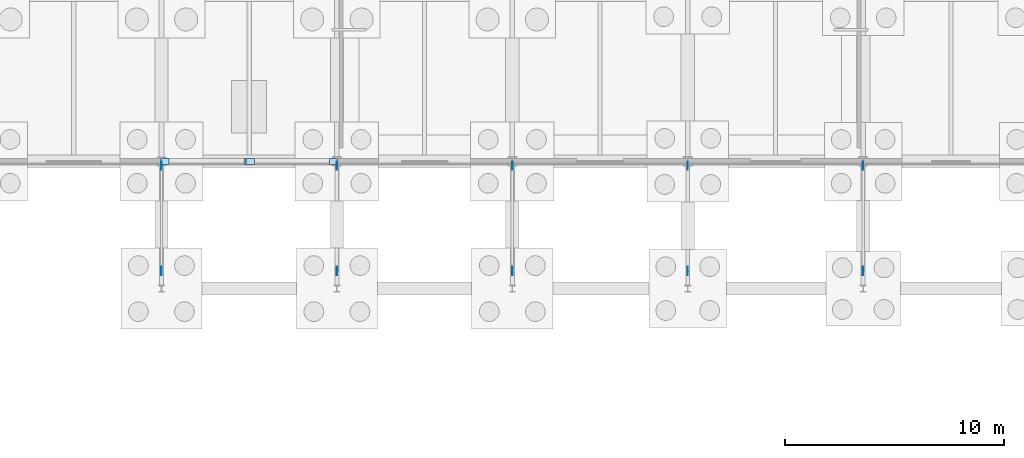
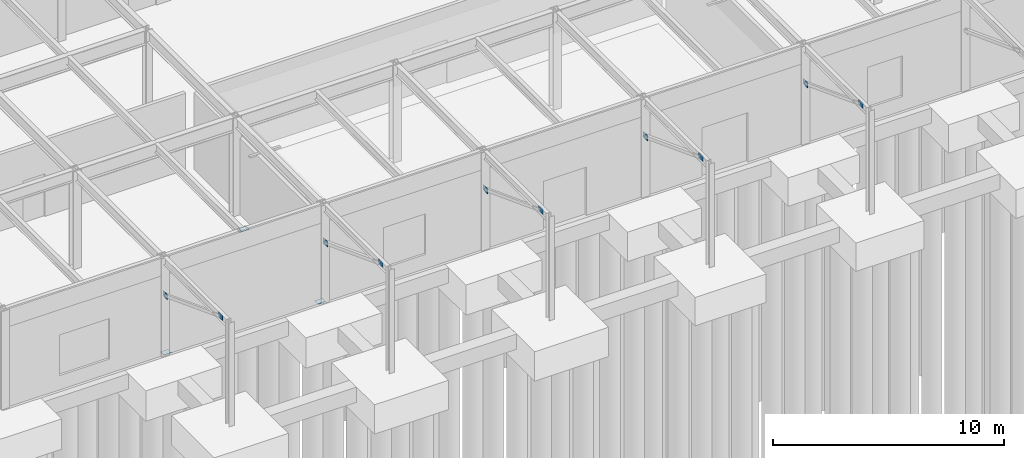
# One storey, part 37 of 62: 14 plates.
"""IFC4 building model written with IfcOpenShell, lengths in metres."""

import ifcopenshell
import ifcopenshell.guid

model = None  # the IFC model being written
_history = None  # IfcOwnerHistory: only IFC2X3 demands one
_inside = {}  # id of a spatial element -> (the spatial element, [elements in it])
_under = {}  # id of a project, library or spatial element -> (it, [spatial elements below it])
_declared = {}  # id of a project -> (the project, [libraries it declares])
_typed = {}  # id of a type object -> (the type object, [elements of that type])
_made_of = {}  # id of a material, layer set ... -> (it, [elements and type objects made of it])


def new_model(schema):
    """Start an empty IFC model of exactly this schema.

    Asked for "IFC4X3", IfcOpenShell would pick the latest addendum, in which some entities
    have other attributes; the version numbers below select the first issue.
    IFC2X3 requires an IfcOwnerHistory on every rooted entity: one is made here for all.
    """
    global model, _history
    if schema == "IFC4X3":
        model = ifcopenshell.file(schema_version=(4, 3, 0, 0))
    else:
        model = ifcopenshell.file(schema=schema)
    _inside.clear()
    _under.clear()
    _declared.clear()
    _typed.clear()
    _made_of.clear()
    _history = None
    if model.schema == "IFC2X3":
        org = make("IfcOrganization", Name="unknown")
        user = make(
            "IfcPersonAndOrganization",
            ThePerson=make("IfcPerson", FamilyName="unknown"),
            TheOrganization=org,
        )
        app = make(
            "IfcApplication",
            ApplicationDeveloper=org,
            Version="unknown",
            ApplicationFullName="unknown",
            ApplicationIdentifier="unknown",
        )
        _history = make(
            "IfcOwnerHistory",
            OwningUser=user,
            OwningApplication=app,
            ChangeAction="ADDED",
            CreationDate=0,
        )
    return model


def make(cls, **values):
    """One entity of the class cls with the attributes given. An attribute that is None is left unset."""
    return model.create_entity(
        cls, **{name: value for name, value in values.items() if value is not None}
    )


def rooted(cls, **values):
    """An entity with a GlobalId (a new one), such as an element, a storey or a relation."""
    return make(cls, GlobalId=ifcopenshell.guid.new(), OwnerHistory=_history, **values)


def si_unit(unit_type, name, prefix=None):
    """IfcSIUnit, for example si_unit("LENGTHUNIT", "METRE", prefix="MILLI")."""
    return make("IfcSIUnit", UnitType=unit_type, Prefix=prefix, Name=name)


def assignment(units):
    """IfcUnitAssignment: the units of a project."""
    return None if units is None else make("IfcUnitAssignment", Units=units)


def point(xyz):
    """IfcCartesianPoint."""
    return None if xyz is None else make("IfcCartesianPoint", Coordinates=xyz)


def direction(xyz):
    """IfcDirection."""
    return None if xyz is None else make("IfcDirection", DirectionRatios=xyz)


def frame(location, z_axis=None, x_axis=None):
    """IfcAxis2Placement3D, a coordinate frame: its origin and axes. An axis left out is left unset."""
    return make(
        "IfcAxis2Placement3D",
        Location=point(location),
        Axis=direction(z_axis),
        RefDirection=direction(x_axis),
    )


def frame_2d(location, x_axis=None):
    """IfcAxis2Placement2D, a coordinate frame in the plane: its origin and x axis."""
    return make(
        "IfcAxis2Placement2D", Location=point(location), RefDirection=direction(x_axis)
    )


def origin():
    """The frame at (0, 0, 0) with its axes left unset."""
    return frame((0.0, 0.0, 0.0))


def origin_2d():
    """The frame at (0, 0) in the plane with its x axis left unset."""
    return frame_2d((0.0, 0.0))


def place(relative_to, where):
    """IfcLocalPlacement: puts the frame where relative to a parent placement (None: the world)."""
    return make(
        "IfcLocalPlacement", PlacementRelTo=relative_to, RelativePlacement=where
    )


def context(
    kind, dimensions, precision=None, world=None, true_north=None, identifier=None
):
    """IfcGeometricRepresentationContext, for example the 3D "Model" context."""
    return make(
        "IfcGeometricRepresentationContext",
        ContextIdentifier=identifier,
        ContextType=kind,
        CoordinateSpaceDimension=dimensions,
        Precision=precision,
        WorldCoordinateSystem=world,
        TrueNorth=true_north,
    )


def subcontext(parent, identifier, kind, view, scale=None):
    """IfcGeometricRepresentationSubContext, for example "Body" below "Model"."""
    return make(
        "IfcGeometricRepresentationSubContext",
        ContextIdentifier=identifier,
        ContextType=kind,
        ParentContext=parent,
        TargetScale=scale,
        TargetView=view,
    )


def project(units=None, contexts=None):
    """IfcProject with its units and contexts."""
    return rooted(
        "IfcProject",
        Name="project",
        RepresentationContexts=contexts,
        UnitsInContext=assignment(units),
    )


def spatial(cls, under=None, at=None, **own):
    """A site, building, storey or space (cls), placed at a placement, below another one or the project."""
    s = rooted(cls, ObjectPlacement=at, **own)
    if under is not None:
        _under.setdefault(under.id(), (under, []))[1].append(s)
    return s


def profile(cls, at=None, kind="AREA", **sizes):
    """A parametric profile (cls). Its sizes go by their IFC names, for example OverallWidth=200.0."""
    return make(cls, ProfileType=kind, Position=at, **sizes)


def rectangle(**sizes):
    """IfcRectangleProfileDef."""
    return profile("IfcRectangleProfileDef", **sizes)


def extrude(swept, where, along, depth):
    """IfcExtrudedAreaSolid: the profile swept, set in the frame where, extruded along a direction by depth."""
    return make(
        "IfcExtrudedAreaSolid",
        SweptArea=swept,
        Position=where,
        ExtrudedDirection=direction(along),
        Depth=depth,
    )


def shape(context_of_items, identifier, shape_type, items):
    """IfcShapeRepresentation: the items that make up one representation, for example the "Body"."""
    return make(
        "IfcShapeRepresentation",
        ContextOfItems=context_of_items,
        RepresentationIdentifier=identifier,
        RepresentationType=shape_type,
        Items=items,
    )


def material(Name=None, Category=None):
    """IfcMaterial."""
    return make("IfcMaterial", Name=Name, Category=Category)


def layer(
    of_material, thickness, ventilated=None, Name=None, Category=None, Priority=None
):
    """IfcMaterialLayer: one layer of a wall or slab, of a material (None: an air gap)."""
    return make(
        "IfcMaterialLayer",
        Material=of_material,
        LayerThickness=thickness,
        IsVentilated=ventilated,
        Name=Name,
        Category=Category,
        Priority=Priority,
    )


def layer_set(layers, Name=None):
    """IfcMaterialLayerSet."""
    return make("IfcMaterialLayerSet", MaterialLayers=layers, LayerSetName=Name)


def made_of(thing, what):
    """Note that an element or type object is made of a material, layer set ...; save() writes the relation."""
    if what is not None:
        _made_of.setdefault(what.id(), (what, []))[1].append(thing)
    return thing


def type_object(cls, material=None, **own):
    """A type object (cls), such as IfcWallType, which elements share."""
    return made_of(rooted(cls, **own), material)


def element(
    cls,
    number,
    at=None,
    inside=None,
    cuts=None,
    type_object=None,
    material=None,
    context=None,
    identifier="Body",
    shape_type=None,
    held_by="IfcProductDefinitionShape",
    body=None,
    shapes=None,
    **own,
):
    """One element of the class cls, such as IfcWall. Its Tag is "e" and its number.

    at: its placement. inside: the storey or other place that contains it. cuts: it is an
    opening in that element (IfcRelVoidsElement). A single representation is given by context,
    identifier, shape_type and body (its items); several are given by shapes. held_by: the class
    of the entity that holds the representations. save() writes the other relations.
    """
    e = rooted(cls, Tag="e%d" % number, ObjectPlacement=at, **own)
    if body is not None:
        shapes = [shape(context, identifier, shape_type, body)]
    if shapes is not None:
        e.Representation = make(held_by, Representations=shapes)
    if inside is not None:
        _inside.setdefault(inside.id(), (inside, []))[1].append(e)
    if cuts is not None:
        rooted(
            "IfcRelVoidsElement", RelatingBuildingElement=cuts, RelatedOpeningElement=e
        )
    if type_object is not None:
        _typed.setdefault(type_object.id(), (type_object, []))[1].append(e)
    return made_of(e, material)


def aggregate(whole, parts):
    """IfcRelAggregates: a whole, such as a stair, and the parts it consists of."""
    return rooted("IfcRelAggregates", RelatingObject=whole, RelatedObjects=parts)


def save(model, path):
    """Write the relations noted so far, then the file.

    IfcRelAggregates (storeys below a building ...), IfcRelContainedInSpatialStructure (elements
    in a storey), IfcRelDefinesByType, IfcRelAssociatesMaterial and IfcRelDeclares: one each for
    every whole, place, type object, material and project.
    """
    for whole, parts in _under.values():
        aggregate(whole, parts)
    for where, things in _inside.values():
        rooted(
            "IfcRelContainedInSpatialStructure",
            RelatedElements=things,
            RelatingStructure=where,
        )
    for kind, things in _typed.values():
        rooted("IfcRelDefinesByType", RelatedObjects=things, RelatingType=kind)
    for what, things in _made_of.values():
        rooted("IfcRelAssociatesMaterial", RelatedObjects=things, RelatingMaterial=what)
    for by, libraries in _declared.values():
        rooted("IfcRelDeclares", RelatingContext=by, RelatedDefinitions=libraries)
    model.write(path)


model = new_model("IFC4")

# Units and contexts
model_context = context("Model", 3, precision=1e-05, world=origin(), true_north=direction((0.0, 1.0)))
body_context = subcontext(model_context, "Body", "Model", "MODEL_VIEW")
ifc_project = project(units=[si_unit("LENGTHUNIT", "METRE"), si_unit("AREAUNIT", "SQUARE_METRE"), si_unit("VOLUMEUNIT", "CUBIC_METRE"), si_unit("PLANEANGLEUNIT", "RADIAN"), si_unit("MASSUNIT", "GRAM", prefix="KILO")], contexts=[model_context])

# Site, building, storey
site_placement = place(None, origin())
site = spatial("IfcSite", under=ifc_project, at=site_placement, CompositionType="ELEMENT")
building_placement = place(site_placement, origin())
building = spatial("IfcBuilding", under=site, at=building_placement, Name="Zulena Civic Courthouse", CompositionType="ELEMENT")
storey_placement = place(building_placement, origin())
storey = spatial("IfcBuildingStorey", under=building, at=storey_placement, Name="L00", CompositionType="ELEMENT", Elevation=0.0)

# Plates
ifc_material = material(Name="Steel ASTM A572 Grade 50", Category="steel")
ifc_layer = layer(ifc_material, 0.02197265625)
ifc_layer_set = layer_set([ifc_layer], Name="Steel ASTM A572 Grade 50")
plate_type = type_object("IfcPlateType", Name="GussetPlate_380x280x22", PredefinedType="SHEET", material=ifc_layer_set)
for number, where, z_axis, x_axis, name in (
    (1, (76.14990234375, 15.199951171875, -0.0009765625), (0.0, 0.0, 1.0), (1.0, 0.0, 0.0), "plate:br:V4:L00:4:0:0"),
    (2, (79.949951171875, 15.199951171875, 5.14892578125), (0.0, 0.0, 1.0), (1.0, 0.0, 0.0), "plate:br:V4:L00:4:0:1"),
    (3, (83.85009765625, 15.199951171875, -0.0009765625), (0.0, 0.0, 1.0), (1.0, 0.0, 0.0), "plate:br:V4:L00:4:1:0"),
    (4, (80.050048828125, 15.199951171875, 5.14892578125), (0.0, 0.0, 1.0), (1.0, 0.0, 0.0), "plate:br:V4:L00:4:1:1"),
):
    element("IfcPlate", number, at=place(storey_placement, frame(where, z_axis=z_axis, x_axis=x_axis)), inside=storey, type_object=plate_type, Name=name, PredefinedType="SHEET", context=body_context, shape_type="SweptSolid", body=[
        extrude(rectangle(XDim=0.3798828125, YDim=0.280029296875, at=origin_2d()), origin(), (0.0, 0.0, 1.0), 0.02197265625),
    ])
for number, where, z_axis, x_axis, name in (
    (5, (76.0, 15.0, 3.06005859375), (0.0, 0.0, 1.0), (1.0, 0.0, 0.0), "plate:can:76.0:0"),
    (6, (76.0, 10.199951171875, 4.8798828125), (0.0, 0.0, 1.0), (1.0, 0.0, 0.0), "plate:can:76.0:1"),
    (7, (84.0, 15.0, 3.06005859375), (0.0, 0.0, 1.0), (1.0, 0.0, 0.0), "plate:can:84.0:0"),
    (8, (84.0, 10.199951171875, 4.8798828125), (0.0, 0.0, 1.0), (1.0, 0.0, 0.0), "plate:can:84.0:1"),
    (9, (92.0, 15.0, 3.06005859375), (0.0, 0.0, 1.0), (1.0, 0.0, 0.0), "plate:can:92.0:0"),
    (10, (92.0, 10.199951171875, 4.8798828125), (0.0, 0.0, 1.0), (1.0, 0.0, 0.0), "plate:can:92.0:1"),
    (11, (100.0, 15.0, 3.06005859375), (0.0, 0.0, 1.0), (1.0, 0.0, 0.0), "plate:can:100.0:0"),
    (12, (100.0, 10.199951171875, 4.8798828125), (0.0, 0.0, 1.0), (1.0, 0.0, 0.0), "plate:can:100.0:1"),
    (13, (108.0, 15.0, 3.06005859375), (0.0, 0.0, 1.0), (1.0, 0.0, 0.0), "plate:can:108.0:0"),
    (14, (108.0, 10.199951171875, 4.8798828125), (0.0, 0.0, 1.0), (1.0, 0.0, 0.0), "plate:can:108.0:1"),
):
    element("IfcPlate", number, at=place(storey_placement, frame(where, z_axis=z_axis, x_axis=x_axis)), inside=storey, type_object=plate_type, Name=name, PredefinedType="SHEET", context=body_context, shape_type="SweptSolid", body=[
        extrude(rectangle(XDim=0.02197265625, YDim=0.3798828125, at=origin_2d()), origin(), (0.0, 0.0, 1.0), 0.280029296875),
    ])

save(model, "model.ifc")
